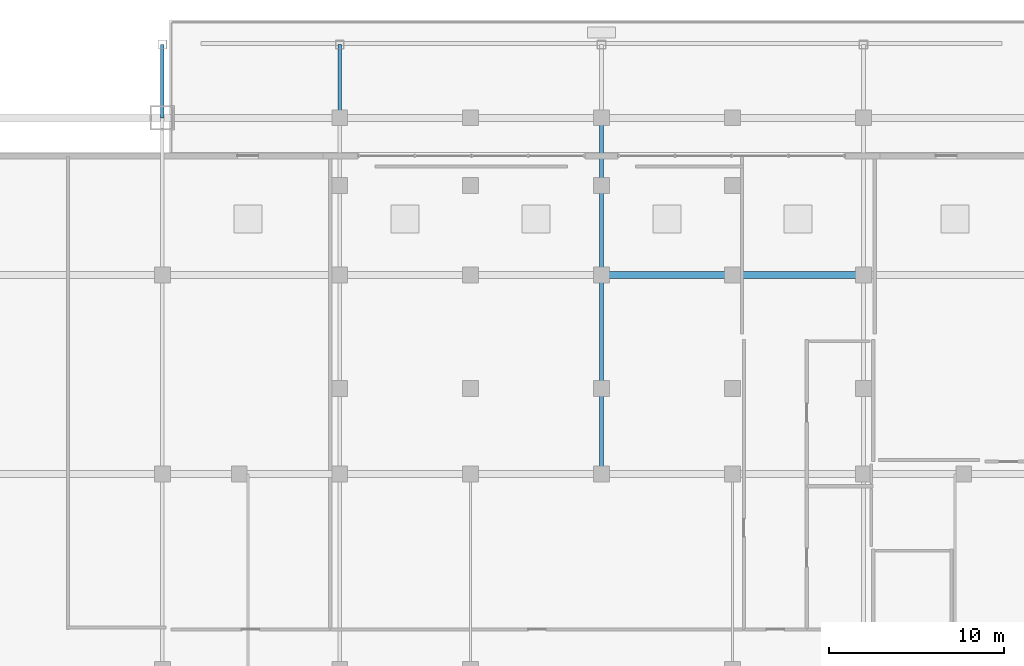
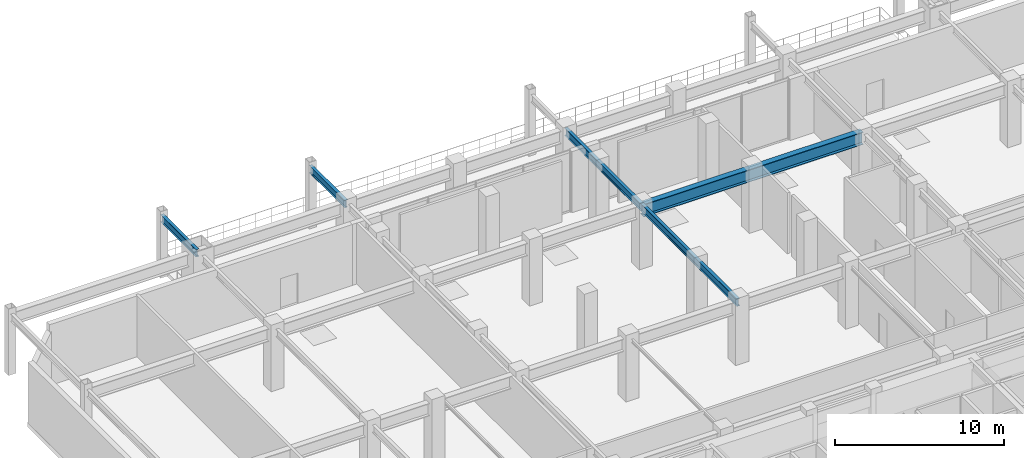
# One storey, part 5 of 15: 5 beams.
"""IFC4 building model written with IfcOpenShell, lengths in metres."""

from ifc_helpers import new_model, si_unit, direction, frame, origin, origin_2d, place, context, subcontext, project, spatial, i_section, extrude, material, material_profile, profile_set, type_object, element, save


model = new_model("IFC4")

# Units and contexts
model_context = context("Model", 3, precision=1e-05, world=origin(), true_north=direction((0.0, 1.0)))
body_context = subcontext(model_context, "Body", "Model", "MODEL_VIEW")
ifc_project = project(units=[si_unit("LENGTHUNIT", "METRE"), si_unit("AREAUNIT", "SQUARE_METRE"), si_unit("VOLUMEUNIT", "CUBIC_METRE"), si_unit("PLANEANGLEUNIT", "RADIAN"), si_unit("MASSUNIT", "GRAM", prefix="KILO")], contexts=[model_context])

# Site, building, storey
site_placement = place(None, origin())
site = spatial("IfcSite", under=ifc_project, at=site_placement, CompositionType="ELEMENT")
building_placement = place(site_placement, origin())
building = spatial("IfcBuilding", under=site, at=building_placement, Name="Ventersveld Concourse Tower", CompositionType="ELEMENT")
storey_placement = place(building_placement, frame((0.0, 0.0, 19.800048828125)))
storey = spatial("IfcBuildingStorey", under=building, at=storey_placement, Name="L04", CompositionType="ELEMENT", Elevation=19.800048828125)

# Beams
ifc_material = material(Name="Structural steel S355J2", Category="steel")
ifc_material_profile_1 = material_profile(ifc_material, i_section(OverallWidth=0.39990234375, OverallDepth=0.89990234375, WebThickness=0.02197265625, FlangeThickness=0.035888671875, at=origin_2d()), Name="PG 900x400x36")
ifc_profile_set_1 = profile_set([ifc_material_profile_1], Name="Structural steel S355J2")
beam_type_1 = type_object("IfcBeamType", Name="GRD-PG900", PredefinedType="USERDEFINED", material=ifc_profile_set_1)
beam_1_placement = place(storey_placement, frame((28.75, 35.0, 3.949951171875), z_axis=(1.0, 0.0, 0.0), x_axis=(0.0, 1.0, 0.0)))
element("IfcBeam", 1, at=beam_1_placement, inside=storey, type_object=beam_type_1, Name="L04 Podium Primary Girder Y=35.0m", ObjectType="GIRDER", PredefinedType="USERDEFINED", context=body_context, shape_type="SweptSolid", body=[
    extrude(i_section(OverallWidth=0.39990234375, OverallDepth=0.89990234375, WebThickness=0.02197265625, FlangeThickness=0.035888671875, at=origin_2d()), origin(), (0.0, 0.0, 1.0), 15.0),
])
ifc_material_profile_2 = material_profile(ifc_material, i_section(OverallWidth=0.209228515625, OverallDepth=0.533203125, WebThickness=0.010009765625, FlangeThickness=0.015625, FilletRadius=0.0126953125, at=origin_2d()), Name="UB 533x210x92")
ifc_profile_set_2 = profile_set([ifc_material_profile_2], Name="Structural steel S355J2")
beam_type_2 = type_object("IfcBeamType", Name="GRD-UB533", PredefinedType="T_BEAM", material=ifc_profile_set_2)
for number, where, z_axis, x_axis, name in (
    (2, (3.60009765625, 44.0, 4.133544921875), (0.0, 1.0, 0.0), (-1.0, 0.0, 0.0), "L04 Podium N-S Girder X=3.60m"),
    (3, (13.75, 44.0, 4.133544921875), (0.0, 1.0, 0.0), (-1.0, 0.0, 0.0), "L04 Podium N-S Girder X=13.75m"),
):
    element("IfcBeam", number, at=place(storey_placement, frame(where, z_axis=z_axis, x_axis=x_axis)), inside=storey, type_object=beam_type_2, Name=name, PredefinedType="T_BEAM", context=body_context, shape_type="SweptSolid", body=[
        extrude(i_section(OverallWidth=0.209228515625, OverallDepth=0.533203125, WebThickness=0.010009765625, FlangeThickness=0.015625, FilletRadius=0.0126953125, at=origin_2d()), origin(), (0.0, 0.0, 1.0), 4.199951171875),
    ])
beam_2_placement = place(storey_placement, frame((28.75, 23.60009765625, 4.133544921875), z_axis=(0.0, 1.0, 0.0), x_axis=(-1.0, 0.0, 0.0)))
element("IfcBeam", 4, at=beam_2_placement, inside=storey, type_object=beam_type_2, Name="L04 Podium N-S Girder X=28.75m", PredefinedType="T_BEAM", context=body_context, shape_type="SweptSolid", body=[
    extrude(i_section(OverallWidth=0.209228515625, OverallDepth=0.533203125, WebThickness=0.010009765625, FlangeThickness=0.015625, FilletRadius=0.0126953125, at=origin_2d()), origin(), (0.0, 0.0, 1.0), 11.39990234375),
])
beam_3_placement = place(storey_placement, frame((28.75, 35.0, 4.133544921875), z_axis=(0.0, 1.0, 0.0), x_axis=(-1.0, 0.0, 0.0)))
element("IfcBeam", 5, at=beam_3_placement, inside=storey, type_object=beam_type_2, Name="L04 Podium N-S Girder X=28.75m", PredefinedType="T_BEAM", context=body_context, shape_type="SweptSolid", body=[
    extrude(i_section(OverallWidth=0.209228515625, OverallDepth=0.533203125, WebThickness=0.010009765625, FlangeThickness=0.015625, FilletRadius=0.0126953125, at=origin_2d()), origin(), (0.0, 0.0, 1.0), 9.0),
])

save(model, "model.ifc")
